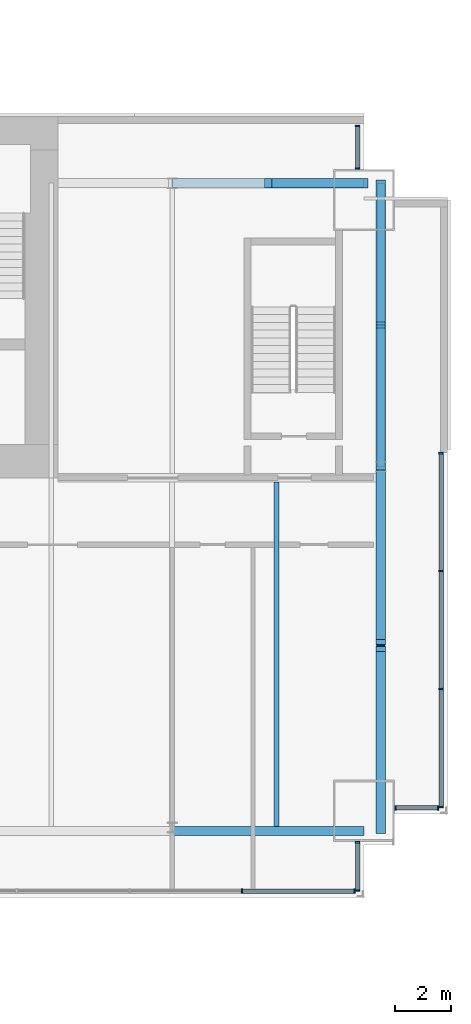
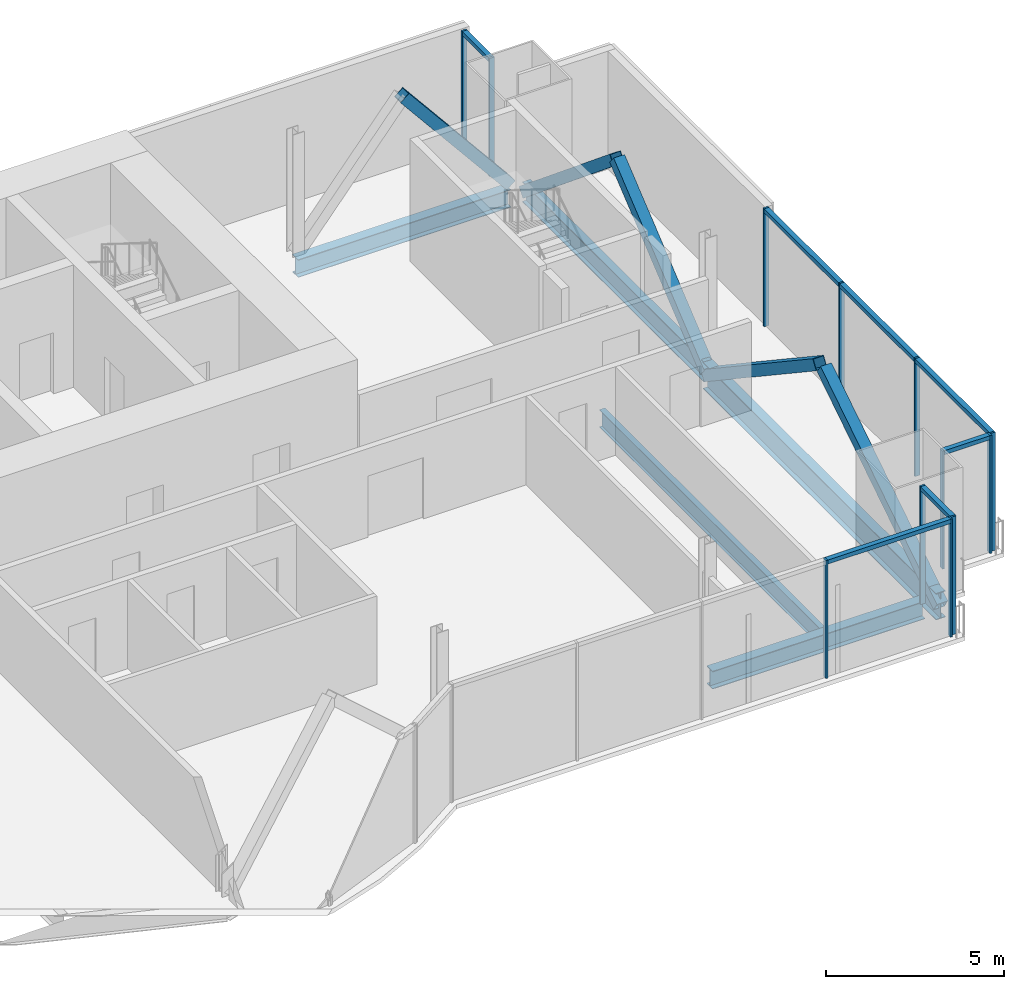
# One storey, part 11 of 19: 24 members, 5 beams, 5 elements without a shape of their own.
"""IFC4 building model written with IfcOpenShell, lengths in metres."""

from ifc_helpers import new_model, si_unit, direction, frame, origin, origin_2d, place, context, subcontext, project, spatial, rectangle, hollow_rectangle, i_section, extrude, material, material_profile, profile_set, type_object, element, aggregate, save


model = new_model("IFC4")

# Units and contexts
model_context = context("Model", 3, precision=1e-05, world=origin(), true_north=direction((0.0, 1.0)))
body_context = subcontext(model_context, "Body", "Model", "MODEL_VIEW")
ifc_project = project(units=[si_unit("LENGTHUNIT", "METRE"), si_unit("AREAUNIT", "SQUARE_METRE"), si_unit("VOLUMEUNIT", "CUBIC_METRE"), si_unit("PLANEANGLEUNIT", "RADIAN"), si_unit("MASSUNIT", "GRAM", prefix="KILO")], contexts=[model_context])

# Site, building, storey
site_placement = place(None, origin())
site = spatial("IfcSite", under=ifc_project, at=site_placement, CompositionType="ELEMENT")
building_placement = place(site_placement, origin())
building = spatial("IfcBuilding", under=site, at=building_placement, Name="Bicima Exchange Tower", CompositionType="ELEMENT")
storey_placement = place(building_placement, frame((0.0, 0.0, 279.199951171875)))
storey = spatial("IfcBuildingStorey", under=building, at=storey_placement, Name="L63", CompositionType="ELEMENT", Elevation=279.199951171875)

# Curtain wall, members
ifc_material_1 = material(Name="Anodised bronze aluminium", Category="aluminium")
curtain_wall_type_1 = type_object("IfcCurtainWallType", Name="End face glass wall", PredefinedType="NOTDEFINED", material=ifc_material_1)
curtain_wall_1_placement = place(storey_placement, origin())
curtain_wall_1 = element("IfcCurtainWall", 1, at=curtain_wall_1_placement, inside=storey, type_object=curtain_wall_type_1, Name="End face glass wall L63 run 19", PredefinedType="NOTDEFINED")
ifc_material_profile_1 = material_profile(ifc_material_1, rectangle(XDim=0.159912109375, YDim=0.06005859375, at=origin_2d()))
ifc_profile_set_1 = profile_set([ifc_material_profile_1], Name="Anodised bronze aluminium")
member_type_1 = type_object("IfcMemberType", Name="End face glass wall mullion 60 x 160", PredefinedType="MULLION", material=ifc_profile_set_1)
member_1_placement = place(storey_placement, frame((35.77001953125, -24.83203125, 0.0), z_axis=(0.0, 0.0, 1.0), x_axis=(-1.0, 0.0, 0.0)))
member_1 = element("IfcMember", 2, at=member_1_placement, type_object=member_type_1, Name="End face glass wall mullion 1", PredefinedType="MULLION", context=body_context, shape_type="SweptSolid", body=[
    extrude(rectangle(XDim=0.159912109375, YDim=0.06005859375, at=origin_2d()), origin(), (0.0, 0.0, 1.0), 4.050048828125),
])
member_2_placement = place(storey_placement, frame((35.77001953125, -20.59130859375, 0.0), z_axis=(0.0, 0.0, 1.0), x_axis=(-1.0, 0.0, 0.0)))
member_2 = element("IfcMember", 3, at=member_2_placement, type_object=member_type_1, Name="End face glass wall mullion 2", PredefinedType="MULLION", context=body_context, shape_type="SweptSolid", body=[
    extrude(rectangle(XDim=0.159912109375, YDim=0.06005859375, at=origin_2d()), origin(), (0.0, 0.0, 1.0), 4.050048828125),
])
member_3_placement = place(storey_placement, frame((35.77001953125, -16.3505859375, 0.0), z_axis=(0.0, 0.0, 1.0), x_axis=(-1.0, 0.0, 0.0)))
member_3 = element("IfcMember", 4, at=member_3_placement, type_object=member_type_1, Name="End face glass wall mullion 3", PredefinedType="MULLION", context=body_context, shape_type="SweptSolid", body=[
    extrude(rectangle(XDim=0.159912109375, YDim=0.06005859375, at=origin_2d()), origin(), (0.0, 0.0, 1.0), 4.050048828125),
])
member_4_placement = place(storey_placement, frame((35.77001953125, -12.110107421875, 0.0), z_axis=(0.0, 0.0, 1.0), x_axis=(-1.0, 0.0, 0.0)))
member_4 = element("IfcMember", 5, at=member_4_placement, type_object=member_type_1, Name="End face glass wall mullion 4", PredefinedType="MULLION", context=body_context, shape_type="SweptSolid", body=[
    extrude(rectangle(XDim=0.159912109375, YDim=0.06005859375, at=origin_2d()), origin(), (0.0, 0.0, 1.0), 4.050048828125),
])
ifc_material_profile_2 = material_profile(ifc_material_1, rectangle(XDim=0.159912109375, YDim=0.139892578125, at=origin_2d()))
ifc_profile_set_2 = profile_set([ifc_material_profile_2], Name="Anodised bronze aluminium")
member_type_2 = type_object("IfcMemberType", Name="End face glass wall transom 140 x 160", PredefinedType="USERDEFINED", material=ifc_profile_set_2)
member_5_placement = place(storey_placement, frame((35.77001953125, -24.802001953125, 3.97998046875), z_axis=(0.0, 1.0, 0.0), x_axis=(-1.0, 0.0, 0.0)))
member_5 = element("IfcMember", 6, at=member_5_placement, type_object=member_type_2, Name="End face glass wall transom 1.1", ObjectType="TRANSOM", PredefinedType="USERDEFINED", context=body_context, shape_type="SweptSolid", body=[
    extrude(rectangle(XDim=0.159912109375, YDim=0.139892578125, at=origin_2d()), origin(), (0.0, 0.0, 1.0), 4.1806640625),
])
member_6_placement = place(storey_placement, frame((35.77001953125, -20.561279296875, 3.97998046875), z_axis=(0.0, 1.0, 0.0), x_axis=(-1.0, 0.0, 0.0)))
member_6 = element("IfcMember", 7, at=member_6_placement, type_object=member_type_2, Name="End face glass wall transom 2.1", ObjectType="TRANSOM", PredefinedType="USERDEFINED", context=body_context, shape_type="SweptSolid", body=[
    extrude(rectangle(XDim=0.159912109375, YDim=0.139892578125, at=origin_2d()), origin(), (0.0, 0.0, 1.0), 4.1806640625),
])
member_7_placement = place(storey_placement, frame((35.77001953125, -16.32080078125, 3.97998046875), z_axis=(0.0, 1.0, 0.0), x_axis=(-1.0, 0.0, 0.0)))
member_7 = element("IfcMember", 8, at=member_7_placement, type_object=member_type_2, Name="End face glass wall transom 3.1", ObjectType="TRANSOM", PredefinedType="USERDEFINED", context=body_context, shape_type="SweptSolid", body=[
    extrude(rectangle(XDim=0.159912109375, YDim=0.139892578125, at=origin_2d()), origin(), (0.0, 0.0, 1.0), 4.180908203125),
])
aggregate(curtain_wall_1, [member_1, member_2, member_3, member_4, member_5, member_6, member_7])

# Beams
ifc_material_2 = material(Name="Steel ASTM A992 Gr 50", Category="steel")
ifc_material_profile_3 = material_profile(ifc_material_2, i_section(OverallWidth=0.256591796875, OverallDepth=0.693359375, WebThickness=0.014404296875, FlangeThickness=0.023681640625, at=origin_2d()))
ifc_profile_set_3 = profile_set([ifc_material_profile_3], Name="Steel ASTM A992 Gr 50")
beam_type_1 = type_object("IfcBeamType", Name="End girder W27x114", PredefinedType="BEAM", material=ifc_profile_set_3)
beam_1_placement = place(storey_placement, frame((33.60009765625, -2.39990234375, -0.49658203125), z_axis=(0.0, -1.0, 0.0), x_axis=(1.0, 0.0, 0.0)))
element("IfcBeam", 9, at=beam_1_placement, inside=storey, type_object=beam_type_1, Name="End girder", PredefinedType="BEAM", context=body_context, shape_type="SweptSolid", body=[
    extrude(i_section(OverallWidth=0.256591796875, OverallDepth=0.693359375, WebThickness=0.014404296875, FlangeThickness=0.023681640625, at=origin_2d()), origin(), (0.0, 0.0, 1.0), 10.2001953125),
])
ifc_material_profile_4 = material_profile(ifc_material_2, i_section(OverallWidth=0.3046875, OverallDepth=0.911865234375, WebThickness=0.015869140625, FlangeThickness=0.02392578125, at=origin_2d()))
ifc_profile_set_4 = profile_set([ifc_material_profile_4], Name="Steel ASTM A992 Gr 50")
beam_type_2 = type_object("IfcBeamType", Name="End girder W36x150", PredefinedType="BEAM", material=ifc_profile_set_4)
beam_2_placement = place(storey_placement, frame((33.60009765625, -12.60009765625, -0.60595703125), z_axis=(0.0, -1.0, 0.0), x_axis=(1.0, 0.0, 0.0)))
element("IfcBeam", 10, at=beam_2_placement, inside=storey, type_object=beam_type_2, Name="End girder", PredefinedType="BEAM", context=body_context, shape_type="SweptSolid", body=[
    extrude(i_section(OverallWidth=0.3046875, OverallDepth=0.911865234375, WebThickness=0.015869140625, FlangeThickness=0.02392578125, at=origin_2d()), origin(), (0.0, 0.0, 1.0), 13.091796875),
])
ifc_material_profile_5 = material_profile(ifc_material_2, i_section(OverallWidth=0.177978515625, OverallDepth=0.599365234375, WebThickness=0.010009765625, FlangeThickness=0.012939453125, at=origin_2d()))
ifc_profile_set_5 = profile_set([ifc_material_profile_5], Name="Steel ASTM A992 Gr 50")
beam_type_3 = type_object("IfcBeamType", Name="Floor beam W24x55", PredefinedType="JOIST", material=ifc_profile_set_5)
beam_3_placement = place(storey_placement, frame((29.85009765625, -13.15234375, -0.44970703125), z_axis=(0.0, -1.0, 0.0), x_axis=(1.0, 0.0, 0.0)))
element("IfcBeam", 11, at=beam_3_placement, inside=storey, type_object=beam_type_3, Name="Floor beam", PredefinedType="JOIST", context=body_context, shape_type="SweptSolid", body=[
    extrude(i_section(OverallWidth=0.177978515625, OverallDepth=0.599365234375, WebThickness=0.010009765625, FlangeThickness=0.012939453125, at=origin_2d()), origin(), (0.0, 0.0, 1.0), 12.376953125),
])
ifc_material_profile_6 = material_profile(ifc_material_2, i_section(OverallWidth=0.3251953125, OverallDepth=0.612060546875, WebThickness=0.0126953125, FlangeThickness=0.01904296875, at=origin_2d()))
ifc_profile_set_6 = profile_set([ifc_material_profile_6], Name="Steel ASTM A992 Gr 50")
beam_type_4 = type_object("IfcBeamType", Name="Front girder W24x104", PredefinedType="BEAM", material=ifc_profile_set_6)
beam_4_placement = place(storey_placement, frame((26.10009765625, -25.69189453125, -0.4560546875), z_axis=(1.0, 0.0, 0.0), x_axis=(0.0, 1.0, 0.0)))
element("IfcBeam", 12, at=beam_4_placement, inside=storey, type_object=beam_type_4, Name="Front girder", PredefinedType="BEAM", context=body_context, shape_type="SweptSolid", body=[
    extrude(i_section(OverallWidth=0.3251953125, OverallDepth=0.612060546875, WebThickness=0.0126953125, FlangeThickness=0.01904296875, at=origin_2d()), origin(), (0.0, 0.0, 1.0), 6.89990234375),
])

# Curtain wall, members
curtain_wall_type_2 = type_object("IfcCurtainWallType", Name="Front glass wall", PredefinedType="NOTDEFINED", material=ifc_material_1)
curtain_wall_2_placement = place(storey_placement, origin())
curtain_wall_2 = element("IfcCurtainWall", 13, at=curtain_wall_2_placement, inside=storey, type_object=curtain_wall_type_2, Name="Front glass wall L63 run 16", PredefinedType="NOTDEFINED")
member_type_3 = type_object("IfcMemberType", Name="Front glass wall mullion 60 x 160", PredefinedType="MULLION", material=ifc_profile_set_1)
member_8_placement = place(storey_placement, frame((28.610595703125, -27.862060546875, 0.0), z_axis=(0.0, 0.0, 1.0), x_axis=(0.0, 1.0, 0.0)))
member_8 = element("IfcMember", 14, at=member_8_placement, type_object=member_type_3, Name="Front glass wall mullion 4", PredefinedType="MULLION", context=body_context, shape_type="SweptSolid", body=[
    extrude(rectangle(XDim=0.159912109375, YDim=0.06005859375, at=origin_2d()), origin(), (0.0, 0.0, 1.0), 4.050048828125),
])
member_9_placement = place(storey_placement, frame((32.659912109375, -27.862060546875, 0.0), z_axis=(0.0, 0.0, 1.0), x_axis=(0.0, 1.0, 0.0)))
member_9 = element("IfcMember", 15, at=member_9_placement, type_object=member_type_3, Name="Front glass wall mullion 5", PredefinedType="MULLION", context=body_context, shape_type="SweptSolid", body=[
    extrude(rectangle(XDim=0.159912109375, YDim=0.06005859375, at=origin_2d()), origin(), (0.0, 0.0, 1.0), 4.050048828125),
])

curtain_wall_3_placement = place(storey_placement, origin())
curtain_wall_3 = element("IfcCurtainWall", 16, at=curtain_wall_3_placement, inside=storey, type_object=curtain_wall_type_2, Name="Front glass wall L63 run 17", PredefinedType="NOTDEFINED")
member_10_placement = place(storey_placement, frame((32.77001953125, -27.83203125, 0.0), z_axis=(0.0, 0.0, 1.0), x_axis=(-1.0, 0.0, 0.0)))
member_10 = element("IfcMember", 17, at=member_10_placement, type_object=member_type_3, Name="Front glass wall mullion 1", PredefinedType="MULLION", context=body_context, shape_type="SweptSolid", body=[
    extrude(rectangle(XDim=0.159912109375, YDim=0.06005859375, at=origin_2d()), origin(), (0.0, 0.0, 1.0), 4.050048828125),
])
member_11_placement = place(storey_placement, frame((32.77001953125, -26.10009765625, 0.0), z_axis=(0.0, 0.0, 1.0), x_axis=(-1.0, 0.0, 0.0)))
member_11 = element("IfcMember", 18, at=member_11_placement, type_object=member_type_3, Name="Front glass wall mullion 2", PredefinedType="MULLION", context=body_context, shape_type="SweptSolid", body=[
    extrude(rectangle(XDim=0.159912109375, YDim=0.06005859375, at=origin_2d()), origin(), (0.0, 0.0, 1.0), 4.050048828125),
])

curtain_wall_4_placement = place(storey_placement, origin())
curtain_wall_4 = element("IfcCurtainWall", 19, at=curtain_wall_4_placement, inside=storey, type_object=curtain_wall_type_2, Name="Front glass wall L63 run 18", PredefinedType="NOTDEFINED")
member_12_placement = place(storey_placement, frame((34.1298828125, -24.862060546875, 0.0), z_axis=(0.0, 0.0, 1.0), x_axis=(0.0, 1.0, 0.0)))
member_12 = element("IfcMember", 20, at=member_12_placement, type_object=member_type_3, Name="Front glass wall mullion 1", PredefinedType="MULLION", context=body_context, shape_type="SweptSolid", body=[
    extrude(rectangle(XDim=0.159912109375, YDim=0.06005859375, at=origin_2d()), origin(), (0.0, 0.0, 1.0), 4.050048828125),
])
member_13_placement = place(storey_placement, frame((35.659912109375, -24.862060546875, 0.0), z_axis=(0.0, 0.0, 1.0), x_axis=(0.0, 1.0, 0.0)))
member_13 = element("IfcMember", 21, at=member_13_placement, type_object=member_type_3, Name="Front glass wall mullion 2", PredefinedType="MULLION", context=body_context, shape_type="SweptSolid", body=[
    extrude(rectangle(XDim=0.159912109375, YDim=0.06005859375, at=origin_2d()), origin(), (0.0, 0.0, 1.0), 4.050048828125),
])

curtain_wall_5_placement = place(storey_placement, origin())
curtain_wall_5 = element("IfcCurtainWall", 22, at=curtain_wall_5_placement, inside=storey, type_object=curtain_wall_type_2, Name="Front glass wall L63 run 20", PredefinedType="NOTDEFINED")
member_14_placement = place(storey_placement, frame((32.77001953125, -1.8701171875, 0.0), z_axis=(0.0, 0.0, 1.0), x_axis=(-1.0, 0.0, 0.0)))
member_14 = element("IfcMember", 23, at=member_14_placement, type_object=member_type_3, Name="Front glass wall mullion 1", PredefinedType="MULLION", context=body_context, shape_type="SweptSolid", body=[
    extrude(rectangle(XDim=0.159912109375, YDim=0.06005859375, at=origin_2d()), origin(), (0.0, 0.0, 1.0), 4.050048828125),
])
member_15_placement = place(storey_placement, frame((32.77001953125, -0.340087890625, 0.0), z_axis=(0.0, 0.0, 1.0), x_axis=(-1.0, 0.0, 0.0)))
member_15 = element("IfcMember", 24, at=member_15_placement, type_object=member_type_3, Name="Front glass wall mullion 2", PredefinedType="MULLION", context=body_context, shape_type="SweptSolid", body=[
    extrude(rectangle(XDim=0.159912109375, YDim=0.06005859375, at=origin_2d()), origin(), (0.0, 0.0, 1.0), 4.050048828125),
])

# Member
member_type_4 = type_object("IfcMemberType", Name="Front glass wall transom 140 x 160", PredefinedType="USERDEFINED", material=ifc_profile_set_2)
member_16_placement = place(storey_placement, frame((28.640380859375, -27.862060546875, 3.97998046875), z_axis=(1.0, 0.0, 0.0), x_axis=(0.0, 1.0, 0.0)))
member_16 = element("IfcMember", 25, at=member_16_placement, type_object=member_type_4, Name="Front glass wall transom 4.1", ObjectType="TRANSOM", PredefinedType="USERDEFINED", context=body_context, shape_type="SweptSolid", body=[
    extrude(rectangle(XDim=0.159912109375, YDim=0.139892578125, at=origin_2d()), origin(), (0.0, 0.0, 1.0), 3.989501953125),
])

aggregate(curtain_wall_2, [member_8, member_9, member_16])

member_17_placement = place(storey_placement, frame((32.77001953125, -27.802001953125, 3.97998046875), z_axis=(0.0, 1.0, 0.0), x_axis=(-1.0, 0.0, 0.0)))
member_17 = element("IfcMember", 26, at=member_17_placement, type_object=member_type_4, Name="Front glass wall transom 1.1", ObjectType="TRANSOM", PredefinedType="USERDEFINED", context=body_context, shape_type="SweptSolid", body=[
    extrude(rectangle(XDim=0.159912109375, YDim=0.139892578125, at=origin_2d()), origin(), (0.0, 0.0, 1.0), 1.672119140625),
])

aggregate(curtain_wall_3, [member_10, member_11, member_17])

member_18_placement = place(storey_placement, frame((34.159912109375, -24.862060546875, 3.97998046875), z_axis=(1.0, 0.0, 0.0), x_axis=(0.0, 1.0, 0.0)))
member_18 = element("IfcMember", 27, at=member_18_placement, type_object=member_type_4, Name="Front glass wall transom 1.1", ObjectType="TRANSOM", PredefinedType="USERDEFINED", context=body_context, shape_type="SweptSolid", body=[
    extrude(rectangle(XDim=0.159912109375, YDim=0.139892578125, at=origin_2d()), origin(), (0.0, 0.0, 1.0), 1.469970703125),
])

aggregate(curtain_wall_4, [member_12, member_13, member_18])

member_19_placement = place(storey_placement, frame((32.77001953125, -1.840087890625, 3.97998046875), z_axis=(0.0, 1.0, 0.0), x_axis=(-1.0, 0.0, 0.0)))
member_19 = element("IfcMember", 28, at=member_19_placement, type_object=member_type_4, Name="Front glass wall transom 1.1", ObjectType="TRANSOM", PredefinedType="USERDEFINED", context=body_context, shape_type="SweptSolid", body=[
    extrude(rectangle(XDim=0.159912109375, YDim=0.139892578125, at=origin_2d()), origin(), (0.0, 0.0, 1.0), 1.469970703125),
])

aggregate(curtain_wall_5, [member_14, member_15, member_19])

# Members
ifc_material_3 = material(Name="Steel ASTM A572 Gr 50", Category="steel")
ifc_material_profile_7 = material_profile(ifc_material_3, hollow_rectangle(XDim=0.355712890625, YDim=0.355712890625, WallThickness=0.0146484375, at=origin_2d()))
ifc_profile_set_7 = profile_set([ifc_material_profile_7], Name="Steel ASTM A572 Gr 50")
member_type_5 = type_object("IfcMemberType", Name="Mega brace HSS14x14x5/8", PredefinedType="BRACE", material=ifc_profile_set_7)
member_20_placement = place(storey_placement, frame((33.0, -2.39990234375, 0.0), z_axis=(-0.63473846547, 0.0, 0.772727041362), x_axis=(0.0, -1.0, 0.0)))
element("IfcMember", 29, at=member_20_placement, inside=storey, type_object=member_type_5, Name="Mega brace rear", PredefinedType="BRACE", context=body_context, shape_type="SweptSolid", body=[
    extrude(hollow_rectangle(XDim=0.355712890625, YDim=0.355712890625, WallThickness=0.0146484375, at=origin_2d()), origin(), (0.0, 0.0, 1.0), 5.435302734375),
])
for number, where, z_axis, x_axis, name in (
    (30, (33.60009765625, -2.39990234375, -0.49658203125), (0.0, -0.771939835586, 0.635695595576), (1.0, 0.0, 0.0), "Mega brace east end"),
    (31, (33.60009765625, -12.60009765625, -0.49658203125), (0.0, 0.771939835586, 0.635695595576), (-1.0, 0.0, 0.0), "Mega brace east end"),
):
    element("IfcMember", number, at=place(storey_placement, frame(where, z_axis=z_axis, x_axis=x_axis)), inside=storey, type_object=member_type_5, Name=name, PredefinedType="BRACE", context=body_context, shape_type="SweptSolid", body=[
        extrude(hollow_rectangle(XDim=0.355712890625, YDim=0.355712890625, WallThickness=0.0146484375, at=origin_2d()), origin(), (0.0, 0.0, 1.0), 6.60693359375),
    ])
member_21_placement = place(storey_placement, frame((33.60009765625, -12.60009765625, -0.60595703125), z_axis=(0.0, -0.832119720193, 0.554596043319), x_axis=(1.0, 0.0, 0.0)))
element("IfcMember", 32, at=member_21_placement, inside=storey, type_object=member_type_5, Name="Mega brace east end", PredefinedType="BRACE", context=body_context, shape_type="SweptSolid", body=[
    extrude(hollow_rectangle(XDim=0.355712890625, YDim=0.355712890625, WallThickness=0.0146484375, at=origin_2d()), origin(), (0.0, 0.0, 1.0), 7.573486328125),
])
member_22_placement = place(storey_placement, frame((33.60009765625, -25.69189453125, -0.60595703125), z_axis=(0.0, 0.8416391665, 0.540040288694), x_axis=(-1.0, 0.0, 0.0)))
element("IfcMember", 33, at=member_22_placement, inside=storey, type_object=member_type_5, Name="Mega brace east end", PredefinedType="BRACE", context=body_context, shape_type="SweptSolid", body=[
    extrude(hollow_rectangle(XDim=0.355712890625, YDim=0.355712890625, WallThickness=0.0146484375, at=origin_2d()), origin(), (0.0, 0.0, 1.0), 7.777587890625),
])

# Beam
beam_type_5 = type_object("IfcBeamType", Name="Rear girder W24x104", PredefinedType="BEAM", material=ifc_profile_set_6)
beam_5_placement = place(storey_placement, frame((26.10009765625, -2.39990234375, -0.4560546875), z_axis=(1.0, 0.0, 0.0), x_axis=(0.0, 1.0, 0.0)))
element("IfcBeam", 34, at=beam_5_placement, inside=storey, type_object=beam_type_5, Name="Rear girder", PredefinedType="BEAM", context=body_context, shape_type="SweptSolid", body=[
    extrude(i_section(OverallWidth=0.3251953125, OverallDepth=0.612060546875, WebThickness=0.0126953125, FlangeThickness=0.01904296875, at=origin_2d()), origin(), (0.0, 0.0, 1.0), 6.89990234375),
])

save(model, "model.ifc")
